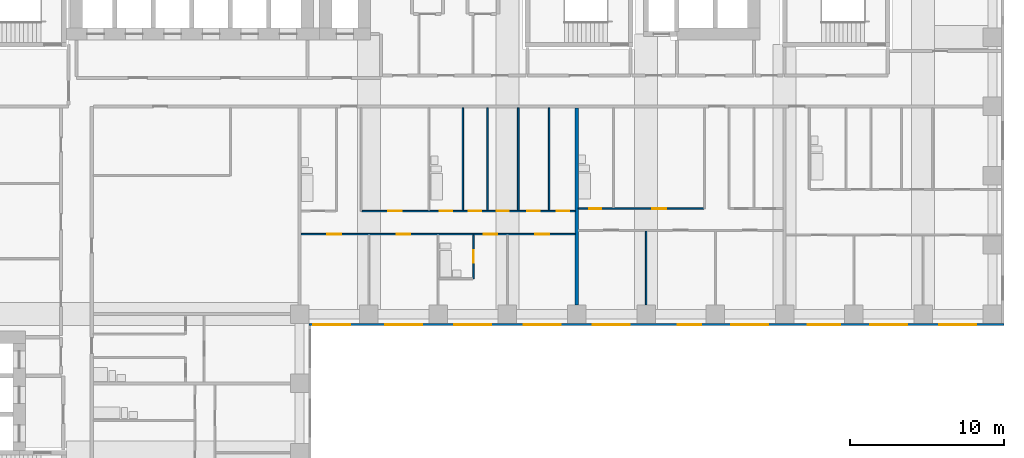
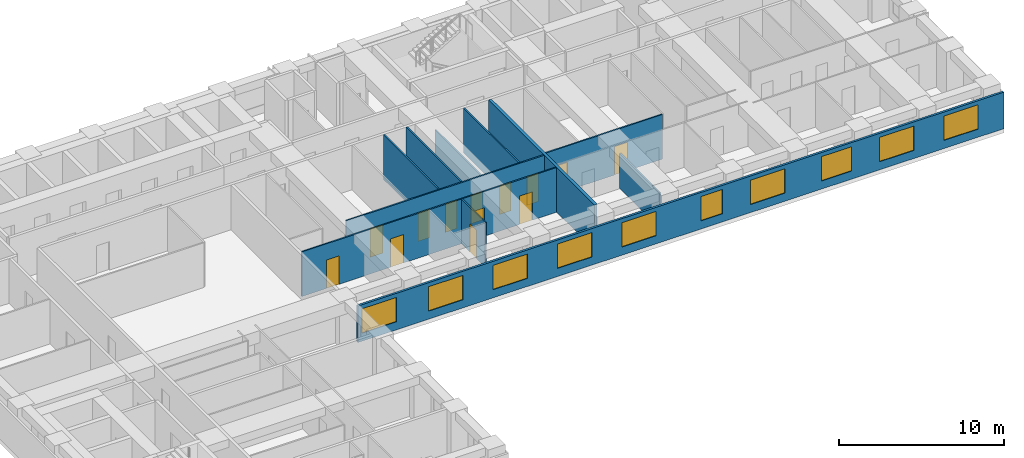
# One storey, part 6 of 12: 13 doors, 11 walls, 10 windows, 23 openings.
"""IFC4 building model written with IfcOpenShell, lengths in metres."""

from ifc_helpers import new_model, si_unit, direction, frame, frame_2d, origin, place, context, subcontext, project, spatial, rectangle, extrude, material, layer, layer_set, type_object, element, fill, save


model = new_model("IFC4")

# Units and contexts
model_context = context("Model", 3, precision=1e-05, world=origin(), true_north=direction((0.0, 1.0)))
body_context = subcontext(model_context, "Body", "Model", "MODEL_VIEW")
ifc_project = project(units=[si_unit("LENGTHUNIT", "METRE"), si_unit("AREAUNIT", "SQUARE_METRE"), si_unit("VOLUMEUNIT", "CUBIC_METRE"), si_unit("PLANEANGLEUNIT", "RADIAN"), si_unit("MASSUNIT", "GRAM", prefix="KILO")], contexts=[model_context])

# Site, building, storey
site_placement = place(None, origin())
site = spatial("IfcSite", under=ifc_project, at=site_placement, CompositionType="ELEMENT")
building_placement = place(site_placement, origin())
building = spatial("IfcBuilding", under=site, at=building_placement, Name="Firuza Court", CompositionType="ELEMENT")
storey_placement = place(building_placement, frame((0.0, 0.0, 54.199951171875)))
storey = spatial("IfcBuildingStorey", under=building, at=storey_placement, Name="L12", CompositionType="ELEMENT", Elevation=54.199951171875)

# Wall, opening, door
ifc_material_1 = material(Name="Moisture-resistant gypsum board partition")
ifc_layer_1 = layer(ifc_material_1, 0.10009765625)
ifc_layer_set_1 = layer_set([ifc_layer_1], Name="Moisture-resistant gypsum board partition")
wall_type_1 = type_object("IfcWallType", Name="Bathroom partition 100", PredefinedType="PLUMBINGWALL", material=ifc_layer_set_1)
wall_1_placement = place(storey_placement, frame((33.800048828125, 38.300048828125, 0.0), z_axis=(0.0, 0.0, 1.0), x_axis=(0.0, 1.0, 0.0)))
wall_1 = element("IfcWall", 1, at=wall_1_placement, inside=storey, type_object=wall_type_1, Name="Bathroom partition 100 L12", PredefinedType="PLUMBINGWALL", context=body_context, shape_type="SweptSolid", body=[
    extrude(rectangle(XDim=2.849853515625, YDim=0.10009765625, at=frame_2d((1.4248046875, 0.0))), origin(), (0.0, 0.0, 1.0), 3.300048828125),
])
opening_1_placement = place(wall_1_placement, frame((1.050048828125, 0.0, 0.0)))
opening_1 = element("IfcOpeningElement", 2, at=opening_1_placement, cuts=wall_1, Name="Opening D12043", PredefinedType="OPENING", context=body_context, shape_type="SweptSolid", body=[
    extrude(rectangle(XDim=0.800048828125, YDim=2.10009765625, at=frame_2d((0.39990234375, 1.050048828125))), frame((0.0, 0.06201171875, 0.0), z_axis=(0.0, -1.0, 0.0), x_axis=(1.0, 0.0, 0.0)), (0.0, 0.0, 1.0), 0.1240234375),
])
ifc_material_2 = material(Name="Timber door leaf in hardwood frame", Category="wood")
door_type_1 = type_object("IfcDoorType", Name="Bathroom door 800", OperationType="SINGLE_SWING_LEFT", PredefinedType="DOOR", material=ifc_material_2)
door_1_placement = place(opening_1_placement, origin())
door_1 = element("IfcDoor", 3, at=door_1_placement, inside=storey, type_object=door_type_1, Name="En-suite door", OperationType="SINGLE_SWING_LEFT", OverallHeight=2.10009765625, OverallWidth=0.800048828125, PredefinedType="DOOR", context=body_context, shape_type="SweptSolid", body=[
    extrude(rectangle(XDim=0.800048828125, YDim=2.10009765625, at=frame_2d((0.39990234375, 1.050048828125))), frame((0.0, 0.02490234375, 0.0), z_axis=(0.0, -1.0, 0.0), x_axis=(1.0, 0.0, 0.0)), (0.0, 0.0, 1.0), 0.050048828125),
])
fill(opening_1, door_1)

# Walls
wall_2_placement = place(storey_placement, frame((33.10009765625, 42.75, 0.0), z_axis=(0.0, 0.0, 1.0), x_axis=(0.0, 1.0, 0.0)))
element("IfcWall", 4, at=wall_2_placement, inside=storey, type_object=wall_type_1, Name="Bathroom partition 100 L12", PredefinedType="PLUMBINGWALL", context=body_context, shape_type="SweptSolid", body=[
    extrude(rectangle(XDim=6.64990234375, YDim=0.10009765625, at=frame_2d((3.324951171875, 0.0))), origin(), (0.0, 0.0, 1.0), 3.300048828125),
])
ifc_material_3 = material(Name="Timber stud partition, plasterboard both sides", Category="wood")
ifc_layer_2 = layer(ifc_material_3, 0.10009765625)
ifc_layer_set_2 = layer_set([ifc_layer_2], Name="Timber stud partition, plasterboard both sides")
wall_type_2 = type_object("IfcWallType", Name="Partition wall 100", PredefinedType="PARTITIONING", material=ifc_layer_set_2)
wall_3_placement = place(storey_placement, frame((45.0, 36.60009765625, 0.0), z_axis=(0.0, 0.0, 1.0), x_axis=(0.0, 1.0, 0.0)))
element("IfcWall", 5, at=wall_3_placement, inside=storey, type_object=wall_type_2, Name="Partition wall 100 L12", PredefinedType="PARTITIONING", context=body_context, shape_type="SweptSolid", body=[
    extrude(rectangle(XDim=4.7998046875, YDim=0.10009765625, at=frame_2d((2.39990234375, 0.0))), origin(), (0.0, 0.0, 1.0), 2.60009765625),
])

# Wall, openings, doors
wall_4_placement = place(storey_placement, frame((22.60009765625, 41.199951171875, 0.0), z_axis=(0.0, 0.0, 1.0), x_axis=(1.0, 0.0, 0.0)))
wall_4 = element("IfcWall", 6, at=wall_4_placement, inside=storey, type_object=wall_type_2, Name="Partition wall 100 L12", PredefinedType="PARTITIONING", context=body_context, shape_type="SweptSolid", body=[
    extrude(rectangle(XDim=17.7998046875, YDim=0.10009765625, at=frame_2d((8.89990234375, 0.0))), origin(), (0.0, 0.0, 1.0), 3.300048828125),
])
opening_2_placement = place(wall_4_placement, frame((1.699951171875, 0.0, 0.0)))
opening_2 = element("IfcOpeningElement", 7, at=opening_2_placement, cuts=wall_4, Name="Opening D12047", PredefinedType="OPENING", context=body_context, shape_type="SweptSolid", body=[
    extrude(rectangle(XDim=0.89990234375, YDim=2.10009765625, at=frame_2d((0.449951171875, 1.050048828125))), frame((0.0, 0.06201171875, 0.0), z_axis=(0.0, -1.0, 0.0), x_axis=(1.0, 0.0, 0.0)), (0.0, 0.0, 1.0), 0.1240234375),
])
opening_3_placement = place(wall_4_placement, frame((6.199951171875, 0.0, 0.0)))
opening_3 = element("IfcOpeningElement", 8, at=opening_3_placement, cuts=wall_4, Name="Opening D12048", PredefinedType="OPENING", context=body_context, shape_type="SweptSolid", body=[
    extrude(rectangle(XDim=0.89990234375, YDim=2.10009765625, at=frame_2d((0.449951171875, 1.050048828125))), frame((0.0, 0.06201171875, 0.0), z_axis=(0.0, -1.0, 0.0), x_axis=(1.0, 0.0, 0.0)), (0.0, 0.0, 1.0), 0.1240234375),
])
opening_4_placement = place(wall_4_placement, frame((11.85009765625, 0.0, 0.0)))
opening_4 = element("IfcOpeningElement", 9, at=opening_4_placement, cuts=wall_4, Name="Opening D12049", PredefinedType="OPENING", context=body_context, shape_type="SweptSolid", body=[
    extrude(rectangle(XDim=0.89990234375, YDim=2.10009765625, at=frame_2d((0.449951171875, 1.050048828125))), frame((0.0, 0.06201171875, 0.0), z_axis=(0.0, -1.0, 0.0), x_axis=(1.0, 0.0, 0.0)), (0.0, 0.0, 1.0), 0.1240234375),
])
opening_5_placement = place(wall_4_placement, frame((15.199951171875, 0.0, 0.0)))
opening_5 = element("IfcOpeningElement", 10, at=opening_5_placement, cuts=wall_4, Name="Opening D12050", PredefinedType="OPENING", context=body_context, shape_type="SweptSolid", body=[
    extrude(rectangle(XDim=0.89990234375, YDim=2.10009765625, at=frame_2d((0.449951171875, 1.050048828125))), frame((0.0, 0.06201171875, 0.0), z_axis=(0.0, -1.0, 0.0), x_axis=(1.0, 0.0, 0.0)), (0.0, 0.0, 1.0), 0.1240234375),
])
ifc_material_4 = material(Name="Timber door leaf in hardwood frame", Category="wood")
door_type_2 = type_object("IfcDoorType", Name="Room door 900", OperationType="SINGLE_SWING_LEFT", PredefinedType="DOOR", material=ifc_material_4)
door_2_placement = place(opening_2_placement, frame((0.89990234375, 0.0, 0.0), z_axis=(0.0, 0.0, 1.0), x_axis=(-1.0, 0.0, 0.0)))
door_2 = element("IfcDoor", 11, at=door_2_placement, inside=storey, type_object=door_type_2, Name="Bedroom door", OperationType="SINGLE_SWING_RIGHT", OverallHeight=2.10009765625, OverallWidth=0.89990234375, PredefinedType="DOOR", context=body_context, shape_type="SweptSolid", body=[
    extrude(rectangle(XDim=0.89990234375, YDim=2.10009765625, at=frame_2d((0.449951171875, 1.050048828125))), frame((0.0, 0.02490234375, 0.0), z_axis=(0.0, -1.0, 0.0), x_axis=(1.0, 0.0, 0.0)), (0.0, 0.0, 1.0), 0.050048828125),
])
fill(opening_2, door_2)
door_3_placement = place(opening_3_placement, frame((0.89990234375, 0.0, 0.0), z_axis=(0.0, 0.0, 1.0), x_axis=(-1.0, 0.0, 0.0)))
door_3 = element("IfcDoor", 12, at=door_3_placement, inside=storey, type_object=door_type_2, Name="Living room door", OperationType="SINGLE_SWING_RIGHT", OverallHeight=2.10009765625, OverallWidth=0.89990234375, PredefinedType="DOOR", context=body_context, shape_type="SweptSolid", body=[
    extrude(rectangle(XDim=0.89990234375, YDim=2.10009765625, at=frame_2d((0.449951171875, 1.050048828125))), frame((0.0, 0.02490234375, 0.0), z_axis=(0.0, -1.0, 0.0), x_axis=(1.0, 0.0, 0.0)), (0.0, 0.0, 1.0), 0.050048828125),
])
fill(opening_3, door_3)
door_4_placement = place(opening_4_placement, frame((0.89990234375, 0.0, 0.0), z_axis=(0.0, 0.0, 1.0), x_axis=(-1.0, 0.0, 0.0)))
door_4 = element("IfcDoor", 13, at=door_4_placement, inside=storey, type_object=door_type_2, Name="Bedroom door", OperationType="SINGLE_SWING_RIGHT", OverallHeight=2.10009765625, OverallWidth=0.89990234375, PredefinedType="DOOR", context=body_context, shape_type="SweptSolid", body=[
    extrude(rectangle(XDim=0.89990234375, YDim=2.10009765625, at=frame_2d((0.449951171875, 1.050048828125))), frame((0.0, 0.02490234375, 0.0), z_axis=(0.0, -1.0, 0.0), x_axis=(1.0, 0.0, 0.0)), (0.0, 0.0, 1.0), 0.050048828125),
])
fill(opening_4, door_4)
door_5_placement = place(opening_5_placement, frame((0.89990234375, 0.0, 0.0), z_axis=(0.0, 0.0, 1.0), x_axis=(-1.0, 0.0, 0.0)))
door_5 = element("IfcDoor", 14, at=door_5_placement, inside=storey, type_object=door_type_2, Name="Bedroom door", OperationType="SINGLE_SWING_RIGHT", OverallHeight=2.10009765625, OverallWidth=0.89990234375, PredefinedType="DOOR", context=body_context, shape_type="SweptSolid", body=[
    extrude(rectangle(XDim=0.89990234375, YDim=2.10009765625, at=frame_2d((0.449951171875, 1.050048828125))), frame((0.0, 0.02490234375, 0.0), z_axis=(0.0, -1.0, 0.0), x_axis=(1.0, 0.0, 0.0)), (0.0, 0.0, 1.0), 0.050048828125),
])
fill(opening_5, door_5)

wall_5_placement = place(storey_placement, frame((26.550048828125, 42.699951171875, 0.0), z_axis=(0.0, 0.0, 1.0), x_axis=(1.0, 0.0, 0.0)))
wall_5 = element("IfcWall", 15, at=wall_5_placement, inside=storey, type_object=wall_type_2, Name="Partition wall 100 L12", PredefinedType="PARTITIONING", context=body_context, shape_type="SweptSolid", body=[
    extrude(rectangle(XDim=13.849853515625, YDim=0.10009765625, at=frame_2d((6.9248046875, 0.0))), origin(), (0.0, 0.0, 1.0), 3.300048828125),
])
opening_6_placement = place(wall_5_placement, frame((5.050048828125, 0.0, 0.0)))
opening_6 = element("IfcOpeningElement", 16, at=opening_6_placement, cuts=wall_5, Name="Opening D12055", PredefinedType="OPENING", context=body_context, shape_type="SweptSolid", body=[
    extrude(rectangle(XDim=0.800048828125, YDim=2.10009765625, at=frame_2d((0.39990234375, 1.050048828125))), frame((0.0, 0.06201171875, 0.0), z_axis=(0.0, -1.0, 0.0), x_axis=(1.0, 0.0, 0.0)), (0.0, 0.0, 1.0), 0.1240234375),
])
opening_7_placement = place(wall_5_placement, frame((1.699951171875, 0.0, 0.0)))
opening_7 = element("IfcOpeningElement", 17, at=opening_7_placement, cuts=wall_5, Name="Opening D12056", PredefinedType="OPENING", context=body_context, shape_type="SweptSolid", body=[
    extrude(rectangle(XDim=0.89990234375, YDim=2.10009765625, at=frame_2d((0.449951171875, 1.050048828125))), frame((0.0, 0.06201171875, 0.0), z_axis=(0.0, -1.0, 0.0), x_axis=(1.0, 0.0, 0.0)), (0.0, 0.0, 1.0), 0.1240234375),
])
opening_8_placement = place(wall_5_placement, frame((10.75, 0.0, 0.0)))
opening_8 = element("IfcOpeningElement", 18, at=opening_8_placement, cuts=wall_5, Name="Opening D12057", PredefinedType="OPENING", context=body_context, shape_type="SweptSolid", body=[
    extrude(rectangle(XDim=0.800048828125, YDim=2.10009765625, at=frame_2d((0.39990234375, 1.050048828125))), frame((0.0, 0.06201171875, 0.0), z_axis=(0.0, -1.0, 0.0), x_axis=(1.0, 0.0, 0.0)), (0.0, 0.0, 1.0), 0.1240234375),
])
opening_9_placement = place(wall_5_placement, frame((6.949951171875, 0.0, 0.0)))
opening_9 = element("IfcOpeningElement", 19, at=opening_9_placement, cuts=wall_5, Name="Opening D12058", PredefinedType="OPENING", context=body_context, shape_type="SweptSolid", body=[
    extrude(rectangle(XDim=0.800048828125, YDim=2.10009765625, at=frame_2d((0.39990234375, 1.050048828125))), frame((0.0, 0.06201171875, 0.0), z_axis=(0.0, -1.0, 0.0), x_axis=(1.0, 0.0, 0.0)), (0.0, 0.0, 1.0), 0.1240234375),
])
opening_10_placement = place(wall_5_placement, frame((8.75, 0.0, 0.0)))
opening_10 = element("IfcOpeningElement", 20, at=opening_10_placement, cuts=wall_5, Name="Opening D12059", PredefinedType="OPENING", context=body_context, shape_type="SweptSolid", body=[
    extrude(rectangle(XDim=0.800048828125, YDim=2.10009765625, at=frame_2d((0.39990234375, 1.050048828125))), frame((0.0, 0.06201171875, 0.0), z_axis=(0.0, -1.0, 0.0), x_axis=(1.0, 0.0, 0.0)), (0.0, 0.0, 1.0), 0.1240234375),
])
opening_11_placement = place(wall_5_placement, frame((12.64990234375, 0.0, 0.0)))
opening_11 = element("IfcOpeningElement", 21, at=opening_11_placement, cuts=wall_5, Name="Opening D12060", PredefinedType="OPENING", context=body_context, shape_type="SweptSolid", body=[
    extrude(rectangle(XDim=0.800048828125, YDim=2.10009765625, at=frame_2d((0.39990234375, 1.050048828125))), frame((0.0, 0.06201171875, 0.0), z_axis=(0.0, -1.0, 0.0), x_axis=(1.0, 0.0, 0.0)), (0.0, 0.0, 1.0), 0.1240234375),
])
door_6_placement = place(opening_6_placement, origin())
door_6 = element("IfcDoor", 22, at=door_6_placement, inside=storey, type_object=door_type_1, Name="Bathroom 2 door", OperationType="SINGLE_SWING_LEFT", OverallHeight=2.10009765625, OverallWidth=0.800048828125, PredefinedType="DOOR", context=body_context, shape_type="SweptSolid", body=[
    extrude(rectangle(XDim=0.800048828125, YDim=2.10009765625, at=frame_2d((0.39990234375, 1.050048828125))), frame((0.0, 0.02490234375, 0.0), z_axis=(0.0, -1.0, 0.0), x_axis=(1.0, 0.0, 0.0)), (0.0, 0.0, 1.0), 0.050048828125),
])
fill(opening_6, door_6)
ifc_material_5 = material(Name="Timber door leaf in hardwood frame", Category="wood")
door_type_3 = type_object("IfcDoorType", Name="Room door 800", OperationType="SINGLE_SWING_LEFT", PredefinedType="DOOR", material=ifc_material_5)
door_7_placement = place(opening_8_placement, origin())
door_7 = element("IfcDoor", 23, at=door_7_placement, inside=storey, type_object=door_type_3, Name="Pantry door", OperationType="SINGLE_SWING_LEFT", OverallHeight=2.10009765625, OverallWidth=0.800048828125, PredefinedType="DOOR", context=body_context, shape_type="SweptSolid", body=[
    extrude(rectangle(XDim=0.800048828125, YDim=2.10009765625, at=frame_2d((0.39990234375, 1.050048828125))), frame((0.0, 0.02490234375, 0.0), z_axis=(0.0, -1.0, 0.0), x_axis=(1.0, 0.0, 0.0)), (0.0, 0.0, 1.0), 0.050048828125),
])
fill(opening_8, door_7)
door_8_placement = place(opening_9_placement, origin())
door_8 = element("IfcDoor", 24, at=door_8_placement, inside=storey, type_object=door_type_3, Name="Store door", OperationType="SINGLE_SWING_LEFT", OverallHeight=2.10009765625, OverallWidth=0.800048828125, PredefinedType="DOOR", context=body_context, shape_type="SweptSolid", body=[
    extrude(rectangle(XDim=0.800048828125, YDim=2.10009765625, at=frame_2d((0.39990234375, 1.050048828125))), frame((0.0, 0.02490234375, 0.0), z_axis=(0.0, -1.0, 0.0), x_axis=(1.0, 0.0, 0.0)), (0.0, 0.0, 1.0), 0.050048828125),
])
fill(opening_9, door_8)
door_9_placement = place(opening_10_placement, origin())
door_9 = element("IfcDoor", 25, at=door_9_placement, inside=storey, type_object=door_type_3, Name="Utility room door", OperationType="SINGLE_SWING_LEFT", OverallHeight=2.10009765625, OverallWidth=0.800048828125, PredefinedType="DOOR", context=body_context, shape_type="SweptSolid", body=[
    extrude(rectangle(XDim=0.800048828125, YDim=2.10009765625, at=frame_2d((0.39990234375, 1.050048828125))), frame((0.0, 0.02490234375, 0.0), z_axis=(0.0, -1.0, 0.0), x_axis=(1.0, 0.0, 0.0)), (0.0, 0.0, 1.0), 0.050048828125),
])
fill(opening_10, door_9)
door_10_placement = place(opening_11_placement, origin())
door_10 = element("IfcDoor", 26, at=door_10_placement, inside=storey, type_object=door_type_3, Name="Walk-in wardrobe door", OperationType="SINGLE_SWING_LEFT", OverallHeight=2.10009765625, OverallWidth=0.800048828125, PredefinedType="DOOR", context=body_context, shape_type="SweptSolid", body=[
    extrude(rectangle(XDim=0.800048828125, YDim=2.10009765625, at=frame_2d((0.39990234375, 1.050048828125))), frame((0.0, 0.02490234375, 0.0), z_axis=(0.0, -1.0, 0.0), x_axis=(1.0, 0.0, 0.0)), (0.0, 0.0, 1.0), 0.050048828125),
])
fill(opening_11, door_10)
door_11_placement = place(opening_7_placement, origin())
door_11 = element("IfcDoor", 27, at=door_11_placement, inside=storey, type_object=door_type_2, Name="Kitchen door", OperationType="SINGLE_SWING_LEFT", OverallHeight=2.10009765625, OverallWidth=0.89990234375, PredefinedType="DOOR", context=body_context, shape_type="SweptSolid", body=[
    extrude(rectangle(XDim=0.89990234375, YDim=2.10009765625, at=frame_2d((0.449951171875, 1.050048828125))), frame((0.0, 0.02490234375, 0.0), z_axis=(0.0, -1.0, 0.0), x_axis=(1.0, 0.0, 0.0)), (0.0, 0.0, 1.0), 0.050048828125),
])
fill(opening_7, door_11)

# Walls
wall_6_placement = place(storey_placement, frame((34.699951171875, 42.75, 0.0), z_axis=(0.0, 0.0, 1.0), x_axis=(0.0, 1.0, 0.0)))
element("IfcWall", 28, at=wall_6_placement, inside=storey, type_object=wall_type_2, Name="Partition wall 100 L12", PredefinedType="PARTITIONING", context=body_context, shape_type="SweptSolid", body=[
    extrude(rectangle(XDim=6.64990234375, YDim=0.10009765625, at=frame_2d((3.324951171875, 0.0))), origin(), (0.0, 0.0, 1.0), 3.300048828125),
])
wall_7_placement = place(storey_placement, frame((36.699951171875, 42.75, 0.0), z_axis=(0.0, 0.0, 1.0), x_axis=(0.0, 1.0, 0.0)))
element("IfcWall", 29, at=wall_7_placement, inside=storey, type_object=wall_type_2, Name="Partition wall 100 L12", PredefinedType="PARTITIONING", context=body_context, shape_type="SweptSolid", body=[
    extrude(rectangle(XDim=6.64990234375, YDim=0.10009765625, at=frame_2d((3.324951171875, 0.0))), origin(), (0.0, 0.0, 1.0), 2.400146484375),
])
wall_8_placement = place(storey_placement, frame((38.699951171875, 42.75, 0.0), z_axis=(0.0, 0.0, 1.0), x_axis=(0.0, 1.0, 0.0)))
element("IfcWall", 30, at=wall_8_placement, inside=storey, type_object=wall_type_2, Name="Partition wall 100 L12", PredefinedType="PARTITIONING", context=body_context, shape_type="SweptSolid", body=[
    extrude(rectangle(XDim=6.64990234375, YDim=0.10009765625, at=frame_2d((3.324951171875, 0.0))), origin(), (0.0, 0.0, 1.0), 3.300048828125),
])

# Wall, openings, doors
wall_9_placement = place(storey_placement, frame((40.60009765625, 42.85009765625, 0.0), z_axis=(0.0, 0.0, 1.0), x_axis=(1.0, 0.0, 0.0)))
wall_9 = element("IfcWall", 31, at=wall_9_placement, inside=storey, type_object=wall_type_2, Name="Partition wall 100 L12", PredefinedType="PARTITIONING", context=body_context, shape_type="SweptSolid", body=[
    extrude(rectangle(XDim=8.14990234375, YDim=0.10009765625, at=frame_2d((4.074951171875, 0.0))), origin(), (0.0, 0.0, 1.0), 3.300048828125),
])
opening_12_placement = place(wall_9_placement, frame((0.699951171875, 0.0, 0.0)))
opening_12 = element("IfcOpeningElement", 32, at=opening_12_placement, cuts=wall_9, Name="Opening D12061", PredefinedType="OPENING", context=body_context, shape_type="SweptSolid", body=[
    extrude(rectangle(XDim=0.800048828125, YDim=2.10009765625, at=frame_2d((0.39990234375, 1.050048828125))), frame((0.0, 0.06201171875, 0.0), z_axis=(0.0, -1.0, 0.0), x_axis=(1.0, 0.0, 0.0)), (0.0, 0.0, 1.0), 0.1240234375),
])
opening_13_placement = place(wall_9_placement, frame((4.800048828125, 0.0, 0.0)))
opening_13 = element("IfcOpeningElement", 33, at=opening_13_placement, cuts=wall_9, Name="Opening D12062", PredefinedType="OPENING", context=body_context, shape_type="SweptSolid", body=[
    extrude(rectangle(XDim=0.89990234375, YDim=2.10009765625, at=frame_2d((0.449951171875, 1.050048828125))), frame((0.0, 0.06201171875, 0.0), z_axis=(0.0, -1.0, 0.0), x_axis=(1.0, 0.0, 0.0)), (0.0, 0.0, 1.0), 0.1240234375),
])
door_12_placement = place(opening_12_placement, origin())
door_12 = element("IfcDoor", 34, at=door_12_placement, inside=storey, type_object=door_type_1, Name="Bathroom door", OperationType="SINGLE_SWING_LEFT", OverallHeight=2.10009765625, OverallWidth=0.800048828125, PredefinedType="DOOR", context=body_context, shape_type="SweptSolid", body=[
    extrude(rectangle(XDim=0.800048828125, YDim=2.10009765625, at=frame_2d((0.39990234375, 1.050048828125))), frame((0.0, 0.02490234375, 0.0), z_axis=(0.0, -1.0, 0.0), x_axis=(1.0, 0.0, 0.0)), (0.0, 0.0, 1.0), 0.050048828125),
])
fill(opening_12, door_12)
door_13_placement = place(opening_13_placement, origin())
door_13 = element("IfcDoor", 35, at=door_13_placement, inside=storey, type_object=door_type_2, Name="Kitchen door", OperationType="SINGLE_SWING_LEFT", OverallHeight=2.10009765625, OverallWidth=0.89990234375, PredefinedType="DOOR", context=body_context, shape_type="SweptSolid", body=[
    extrude(rectangle(XDim=0.89990234375, YDim=2.10009765625, at=frame_2d((0.449951171875, 1.050048828125))), frame((0.0, 0.02490234375, 0.0), z_axis=(0.0, -1.0, 0.0), x_axis=(1.0, 0.0, 0.0)), (0.0, 0.0, 1.0), 0.050048828125),
])
fill(opening_13, door_13)

# Wall
ifc_material_6 = material(Name="Blockwork, plastered both sides", Category="masonry")
ifc_layer_3 = layer(ifc_material_6, 0.199951171875)
ifc_layer_set_3 = layer_set([ifc_layer_3], Name="Blockwork, plastered both sides")
wall_type_3 = type_object("IfcWallType", Name="Party wall 200", PredefinedType="PARTITIONING", material=ifc_layer_set_3)
wall_10_placement = place(storey_placement, frame((40.5, 36.60009765625, 0.0), z_axis=(0.0, 0.0, 1.0), x_axis=(0.0, 1.0, 0.0)))
element("IfcWall", 36, at=wall_10_placement, inside=storey, type_object=wall_type_3, Name="Party wall 200 L12", PredefinedType="PARTITIONING", context=body_context, shape_type="SweptSolid", body=[
    extrude(rectangle(XDim=12.7998046875, YDim=0.199951171875, at=frame_2d((6.39990234375, 0.0))), origin(), (0.0, 0.0, 1.0), 3.300048828125),
])

# Wall, openings, windows
ifc_material_7 = material(Name="Ceramic tile", Category="ceramic")
ifc_layer_4 = layer(ifc_material_7, 0.02001953125)
ifc_material_8 = material(Name="Mineral wool insulation", Category="insulation")
ifc_layer_5 = layer(ifc_material_8, 0.050048828125)
ifc_material_9 = material(Name="Concrete C40/50 precast", Category="concrete")
ifc_layer_6 = layer(ifc_material_9, 0.080078125)
ifc_layer_set_4 = layer_set([ifc_layer_4, ifc_layer_5, ifc_layer_6], Name="Concrete C40/50 precast")
wall_type_4 = type_object("IfcWallType", Name="Precast cladding wall with turquoise TILE PANEL face 150", PredefinedType="STANDARD", material=ifc_layer_set_4)
wall_11_placement = place(storey_placement, frame((23.10009765625, 35.324951171875, 0.0), z_axis=(0.0, 0.0, 1.0), x_axis=(1.0, 0.0, 0.0)))
wall_11 = element("IfcWall", 37, at=wall_11_placement, inside=storey, type_object=wall_type_4, Name="Facade wall L12 S", PredefinedType="STANDARD", context=body_context, shape_type="SweptSolid", body=[
    extrude(rectangle(XDim=45.14990234375, YDim=0.14990234375, at=frame_2d((22.574951171875, 0.0))), origin(), (0.0, 0.0, 1.0), 2.699951171875),
])
opening_14_placement = place(wall_11_placement, frame((0.296875, 0.0, 0.60009765625)))
opening_14 = element("IfcOpeningElement", 38, at=opening_14_placement, cuts=wall_11, Name="Opening W1", PredefinedType="OPENING", context=body_context, shape_type="SweptSolid", body=[
    extrude(rectangle(XDim=2.39990234375, YDim=1.800048828125, at=frame_2d((1.199951171875, 0.89990234375))), frame((0.0, 0.0869140625, 0.0), z_axis=(0.0, -1.0, 0.0), x_axis=(1.0, 0.0, 0.0)), (0.0, 0.0, 1.0), 0.173828125),
])
opening_15_placement = place(wall_11_placement, frame((4.949951171875, 0.0, 0.60009765625)))
opening_15 = element("IfcOpeningElement", 39, at=opening_15_placement, cuts=wall_11, Name="Opening W1", PredefinedType="OPENING", context=body_context, shape_type="SweptSolid", body=[
    extrude(rectangle(XDim=2.39990234375, YDim=1.800048828125, at=frame_2d((1.199951171875, 0.89990234375))), frame((0.0, 0.0869140625, 0.0), z_axis=(0.0, -1.0, 0.0), x_axis=(1.0, 0.0, 0.0)), (0.0, 0.0, 1.0), 0.173828125),
])
opening_16_placement = place(wall_11_placement, frame((9.449951171875, 0.0, 0.60009765625)))
opening_16 = element("IfcOpeningElement", 40, at=opening_16_placement, cuts=wall_11, Name="Opening W1", PredefinedType="OPENING", context=body_context, shape_type="SweptSolid", body=[
    extrude(rectangle(XDim=2.39990234375, YDim=1.800048828125, at=frame_2d((1.199951171875, 0.89990234375))), frame((0.0, 0.0869140625, 0.0), z_axis=(0.0, -1.0, 0.0), x_axis=(1.0, 0.0, 0.0)), (0.0, 0.0, 1.0), 0.173828125),
])
opening_17_placement = place(wall_11_placement, frame((13.949951171875, 0.0, 0.60009765625)))
opening_17 = element("IfcOpeningElement", 41, at=opening_17_placement, cuts=wall_11, Name="Opening W1", PredefinedType="OPENING", context=body_context, shape_type="SweptSolid", body=[
    extrude(rectangle(XDim=2.39990234375, YDim=1.800048828125, at=frame_2d((1.199951171875, 0.89990234375))), frame((0.0, 0.0869140625, 0.0), z_axis=(0.0, -1.0, 0.0), x_axis=(1.0, 0.0, 0.0)), (0.0, 0.0, 1.0), 0.173828125),
])
opening_18_placement = place(wall_11_placement, frame((18.449951171875, 0.0, 0.60009765625)))
opening_18 = element("IfcOpeningElement", 42, at=opening_18_placement, cuts=wall_11, Name="Opening W1", PredefinedType="OPENING", context=body_context, shape_type="SweptSolid", body=[
    extrude(rectangle(XDim=2.39990234375, YDim=1.800048828125, at=frame_2d((1.199951171875, 0.89990234375))), frame((0.0, 0.0869140625, 0.0), z_axis=(0.0, -1.0, 0.0), x_axis=(1.0, 0.0, 0.0)), (0.0, 0.0, 1.0), 0.173828125),
])
opening_19_placement = place(wall_11_placement, frame((23.970458984375, 0.0, 0.60009765625)))
opening_19 = element("IfcOpeningElement", 43, at=opening_19_placement, cuts=wall_11, Name="Opening W2", PredefinedType="OPENING", context=body_context, shape_type="SweptSolid", body=[
    extrude(rectangle(XDim=1.5, YDim=1.800048828125, at=frame_2d((0.75, 0.89990234375))), frame((0.0, 0.0869140625, 0.0), z_axis=(0.0, -1.0, 0.0), x_axis=(1.0, 0.0, 0.0)), (0.0, 0.0, 1.0), 0.173828125),
])
opening_20_placement = place(wall_11_placement, frame((27.449951171875, 0.0, 0.60009765625)))
opening_20 = element("IfcOpeningElement", 44, at=opening_20_placement, cuts=wall_11, Name="Opening W1", PredefinedType="OPENING", context=body_context, shape_type="SweptSolid", body=[
    extrude(rectangle(XDim=2.39990234375, YDim=1.800048828125, at=frame_2d((1.199951171875, 0.89990234375))), frame((0.0, 0.0869140625, 0.0), z_axis=(0.0, -1.0, 0.0), x_axis=(1.0, 0.0, 0.0)), (0.0, 0.0, 1.0), 0.173828125),
])
opening_21_placement = place(wall_11_placement, frame((32.402587890625, 0.0, 0.60009765625)))
opening_21 = element("IfcOpeningElement", 45, at=opening_21_placement, cuts=wall_11, Name="Opening W6", PredefinedType="OPENING", context=body_context, shape_type="SweptSolid", body=[
    extrude(rectangle(XDim=2.10009765625, YDim=1.800048828125, at=frame_2d((1.050048828125, 0.89990234375))), frame((0.0, 0.0869140625, 0.0), z_axis=(0.0, -1.0, 0.0), x_axis=(1.0, 0.0, 0.0)), (0.0, 0.0, 1.0), 0.173828125),
])
opening_22_placement = place(wall_11_placement, frame((36.449951171875, 0.0, 0.60009765625)))
opening_22 = element("IfcOpeningElement", 46, at=opening_22_placement, cuts=wall_11, Name="Opening W1", PredefinedType="OPENING", context=body_context, shape_type="SweptSolid", body=[
    extrude(rectangle(XDim=2.39990234375, YDim=1.800048828125, at=frame_2d((1.199951171875, 0.89990234375))), frame((0.0, 0.0869140625, 0.0), z_axis=(0.0, -1.0, 0.0), x_axis=(1.0, 0.0, 0.0)), (0.0, 0.0, 1.0), 0.173828125),
])
opening_23_placement = place(wall_11_placement, frame((40.949951171875, 0.0, 0.60009765625)))
opening_23 = element("IfcOpeningElement", 47, at=opening_23_placement, cuts=wall_11, Name="Opening W1", PredefinedType="OPENING", context=body_context, shape_type="SweptSolid", body=[
    extrude(rectangle(XDim=2.39990234375, YDim=1.800048828125, at=frame_2d((1.199951171875, 0.89990234375))), frame((0.0, 0.0869140625, 0.0), z_axis=(0.0, -1.0, 0.0), x_axis=(1.0, 0.0, 0.0)), (0.0, 0.0, 1.0), 0.173828125),
])
ifc_material_10 = material(Name="Aluminium frame, triple clear glazing", Category="aluminium")
window_type_1 = type_object("IfcWindowType", Name="Window W1 2400 x 1800", PartitioningType="SINGLE_PANEL", PredefinedType="WINDOW", material=ifc_material_10)
window_1_placement = place(opening_14_placement, origin())
window_1 = element("IfcWindow", 48, at=window_1_placement, inside=storey, type_object=window_type_1, Name="Window L12", OverallHeight=1.800048828125, OverallWidth=2.39990234375, PartitioningType="SINGLE_PANEL", PredefinedType="WINDOW", context=body_context, shape_type="SweptSolid", body=[
    extrude(rectangle(XDim=2.39990234375, YDim=1.800048828125, at=frame_2d((1.199951171875, 0.89990234375))), frame((0.0, 0.030029296875, 0.0), z_axis=(0.0, -1.0, 0.0), x_axis=(1.0, 0.0, 0.0)), (0.0, 0.0, 1.0), 0.06005859375),
])
fill(opening_14, window_1)
window_2_placement = place(opening_15_placement, origin())
window_2 = element("IfcWindow", 49, at=window_2_placement, inside=storey, type_object=window_type_1, Name="Window L12", OverallHeight=1.800048828125, OverallWidth=2.39990234375, PartitioningType="SINGLE_PANEL", PredefinedType="WINDOW", context=body_context, shape_type="SweptSolid", body=[
    extrude(rectangle(XDim=2.39990234375, YDim=1.800048828125, at=frame_2d((1.199951171875, 0.89990234375))), frame((0.0, 0.030029296875, 0.0), z_axis=(0.0, -1.0, 0.0), x_axis=(1.0, 0.0, 0.0)), (0.0, 0.0, 1.0), 0.06005859375),
])
fill(opening_15, window_2)
window_3_placement = place(opening_16_placement, origin())
window_3 = element("IfcWindow", 50, at=window_3_placement, inside=storey, type_object=window_type_1, Name="Window L12", OverallHeight=1.800048828125, OverallWidth=2.39990234375, PartitioningType="SINGLE_PANEL", PredefinedType="WINDOW", context=body_context, shape_type="SweptSolid", body=[
    extrude(rectangle(XDim=2.39990234375, YDim=1.800048828125, at=frame_2d((1.199951171875, 0.89990234375))), frame((0.0, 0.030029296875, 0.0), z_axis=(0.0, -1.0, 0.0), x_axis=(1.0, 0.0, 0.0)), (0.0, 0.0, 1.0), 0.06005859375),
])
fill(opening_16, window_3)
window_4_placement = place(opening_17_placement, origin())
window_4 = element("IfcWindow", 51, at=window_4_placement, inside=storey, type_object=window_type_1, Name="Window L12", OverallHeight=1.800048828125, OverallWidth=2.39990234375, PartitioningType="SINGLE_PANEL", PredefinedType="WINDOW", context=body_context, shape_type="SweptSolid", body=[
    extrude(rectangle(XDim=2.39990234375, YDim=1.800048828125, at=frame_2d((1.199951171875, 0.89990234375))), frame((0.0, 0.030029296875, 0.0), z_axis=(0.0, -1.0, 0.0), x_axis=(1.0, 0.0, 0.0)), (0.0, 0.0, 1.0), 0.06005859375),
])
fill(opening_17, window_4)
window_5_placement = place(opening_18_placement, origin())
window_5 = element("IfcWindow", 52, at=window_5_placement, inside=storey, type_object=window_type_1, Name="Window L12", OverallHeight=1.800048828125, OverallWidth=2.39990234375, PartitioningType="SINGLE_PANEL", PredefinedType="WINDOW", context=body_context, shape_type="SweptSolid", body=[
    extrude(rectangle(XDim=2.39990234375, YDim=1.800048828125, at=frame_2d((1.199951171875, 0.89990234375))), frame((0.0, 0.030029296875, 0.0), z_axis=(0.0, -1.0, 0.0), x_axis=(1.0, 0.0, 0.0)), (0.0, 0.0, 1.0), 0.06005859375),
])
fill(opening_18, window_5)
window_6_placement = place(opening_20_placement, origin())
window_6 = element("IfcWindow", 53, at=window_6_placement, inside=storey, type_object=window_type_1, Name="Window L12", OverallHeight=1.800048828125, OverallWidth=2.39990234375, PartitioningType="SINGLE_PANEL", PredefinedType="WINDOW", context=body_context, shape_type="SweptSolid", body=[
    extrude(rectangle(XDim=2.39990234375, YDim=1.800048828125, at=frame_2d((1.199951171875, 0.89990234375))), frame((0.0, 0.030029296875, 0.0), z_axis=(0.0, -1.0, 0.0), x_axis=(1.0, 0.0, 0.0)), (0.0, 0.0, 1.0), 0.06005859375),
])
fill(opening_20, window_6)
window_7_placement = place(opening_22_placement, origin())
window_7 = element("IfcWindow", 54, at=window_7_placement, inside=storey, type_object=window_type_1, Name="Window L12", OverallHeight=1.800048828125, OverallWidth=2.39990234375, PartitioningType="SINGLE_PANEL", PredefinedType="WINDOW", context=body_context, shape_type="SweptSolid", body=[
    extrude(rectangle(XDim=2.39990234375, YDim=1.800048828125, at=frame_2d((1.199951171875, 0.89990234375))), frame((0.0, 0.030029296875, 0.0), z_axis=(0.0, -1.0, 0.0), x_axis=(1.0, 0.0, 0.0)), (0.0, 0.0, 1.0), 0.06005859375),
])
fill(opening_22, window_7)
window_8_placement = place(opening_23_placement, origin())
window_8 = element("IfcWindow", 55, at=window_8_placement, inside=storey, type_object=window_type_1, Name="Window L12", OverallHeight=1.800048828125, OverallWidth=2.39990234375, PartitioningType="SINGLE_PANEL", PredefinedType="WINDOW", context=body_context, shape_type="SweptSolid", body=[
    extrude(rectangle(XDim=2.39990234375, YDim=1.800048828125, at=frame_2d((1.199951171875, 0.89990234375))), frame((0.0, 0.030029296875, 0.0), z_axis=(0.0, -1.0, 0.0), x_axis=(1.0, 0.0, 0.0)), (0.0, 0.0, 1.0), 0.06005859375),
])
fill(opening_23, window_8)
ifc_material_11 = material(Name="Aluminium frame, triple clear glazing", Category="aluminium")
window_type_2 = type_object("IfcWindowType", Name="Window W2 1500 x 1800", PartitioningType="SINGLE_PANEL", PredefinedType="WINDOW", material=ifc_material_11)
window_9_placement = place(opening_19_placement, origin())
window_9 = element("IfcWindow", 56, at=window_9_placement, inside=storey, type_object=window_type_2, Name="Window L12", OverallHeight=1.800048828125, OverallWidth=1.5, PartitioningType="SINGLE_PANEL", PredefinedType="WINDOW", context=body_context, shape_type="SweptSolid", body=[
    extrude(rectangle(XDim=1.5, YDim=1.800048828125, at=frame_2d((0.75, 0.89990234375))), frame((0.0, 0.030029296875, 0.0), z_axis=(0.0, -1.0, 0.0), x_axis=(1.0, 0.0, 0.0)), (0.0, 0.0, 1.0), 0.06005859375),
])
fill(opening_19, window_9)
ifc_material_12 = material(Name="Aluminium frame, triple clear glazing", Category="aluminium")
window_type_3 = type_object("IfcWindowType", Name="Window W6 2100 x 1800", PartitioningType="SINGLE_PANEL", PredefinedType="WINDOW", material=ifc_material_12)
window_10_placement = place(opening_21_placement, origin())
window_10 = element("IfcWindow", 57, at=window_10_placement, inside=storey, type_object=window_type_3, Name="Window L12", OverallHeight=1.800048828125, OverallWidth=2.10009765625, PartitioningType="SINGLE_PANEL", PredefinedType="WINDOW", context=body_context, shape_type="SweptSolid", body=[
    extrude(rectangle(XDim=2.10009765625, YDim=1.800048828125, at=frame_2d((1.050048828125, 0.89990234375))), frame((0.0, 0.030029296875, 0.0), z_axis=(0.0, -1.0, 0.0), x_axis=(1.0, 0.0, 0.0)), (0.0, 0.0, 1.0), 0.06005859375),
])
fill(opening_21, window_10)

save(model, "model.ifc")
